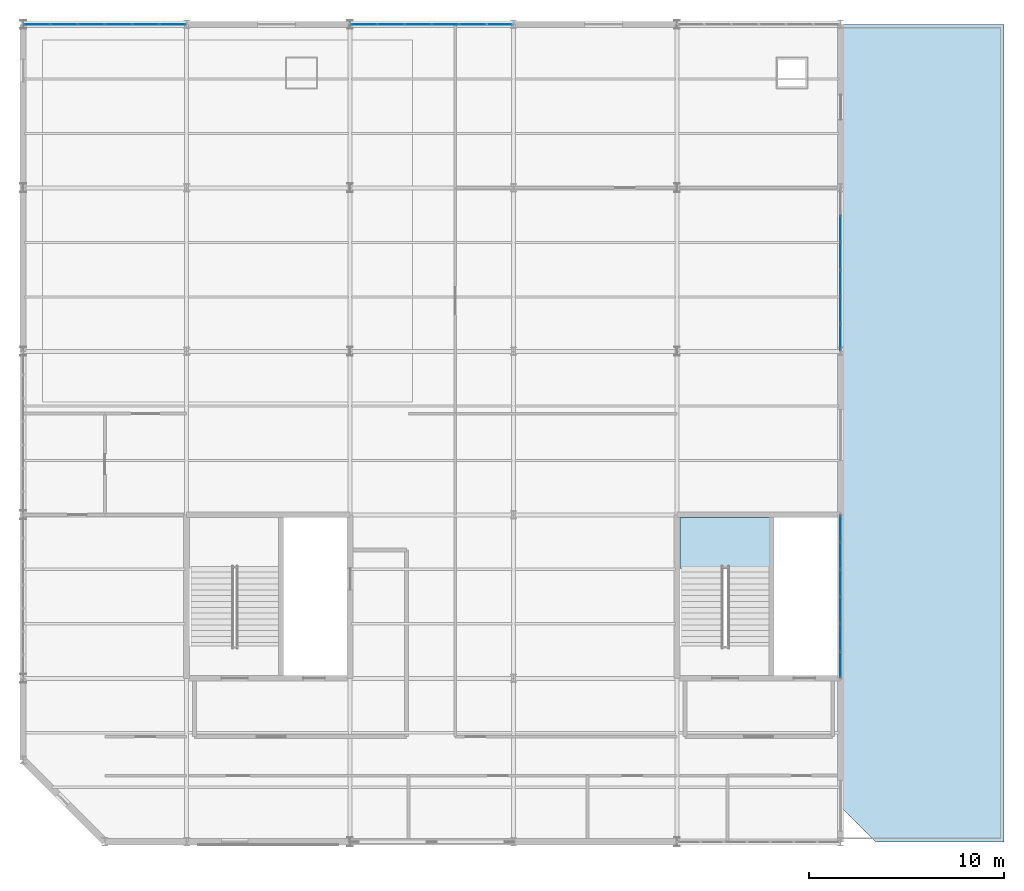
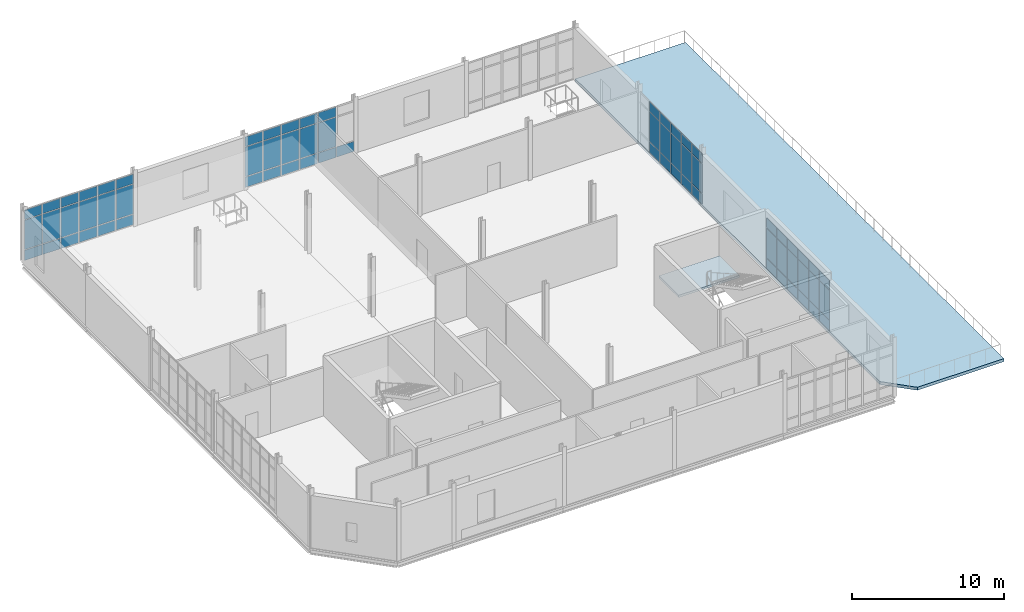
# One storey, part 22 of 28: 67 plates, 2 slabs, 5 elements without a shape of their own.
"""IFC4 building model written with IfcOpenShell, lengths in metres."""

from ifc_helpers import new_model, si_unit, direction, frame, origin, origin_2d, place, context, subcontext, project, spatial, polyline, rectangle, outline, extrude, material, layer, layer_set, type_object, element, aggregate, save


model = new_model("IFC4")

# Units and contexts
model_context = context("Model", 3, precision=1e-05, world=origin(), true_north=direction((0.0, 1.0)))
body_context = subcontext(model_context, "Body", "Model", "MODEL_VIEW")
ifc_project = project(units=[si_unit("LENGTHUNIT", "METRE"), si_unit("AREAUNIT", "SQUARE_METRE"), si_unit("VOLUMEUNIT", "CUBIC_METRE"), si_unit("PLANEANGLEUNIT", "RADIAN"), si_unit("MASSUNIT", "GRAM", prefix="KILO")], contexts=[model_context])

# Site, building, storey
site_placement = place(None, origin())
site = spatial("IfcSite", under=ifc_project, at=site_placement, CompositionType="ELEMENT")
building_placement = place(site_placement, origin())
building = spatial("IfcBuilding", under=site, at=building_placement, Name="Qalvenar Corner Mobility Hub", CompositionType="ELEMENT")
storey_placement = place(building_placement, frame((0.0, 0.0, 21.60009765625)))
storey = spatial("IfcBuildingStorey", under=building, at=storey_placement, Name="L05", CompositionType="ELEMENT", Elevation=21.60009765625)

# Curtain wall, plates
ifc_material_1 = material(Name="Anodised Aluminium and Low-E Glazing", Category="aluminium")
ifc_layer_1 = layer(ifc_material_1, 0.14990234375)
ifc_layer_set_1 = layer_set([ifc_layer_1], Name="Anodised Aluminium and Low-E Glazing")
curtain_wall_type_1 = type_object("IfcCurtainWallType", Name="CW-CIV-84X40", PredefinedType="NOTDEFINED", material=ifc_layer_set_1)
curtain_wall_1_placement = place(storey_placement, origin())
curtain_wall_1 = element("IfcCurtainWall", 1, at=curtain_wall_1_placement, inside=storey, type_object=curtain_wall_type_1, Name="Glazed Curtain Wall CW-V3-L05-N0", PredefinedType="NOTDEFINED")
ifc_material_2 = material(Name="Solar-Control Low-E Double Glazing", Category="glass")
ifc_layer_2 = layer(ifc_material_2, 0.028076171875)
ifc_layer_set_2 = layer_set([ifc_layer_2], Name="Solar-Control Low-E Double Glazing")
plate_type = type_object("IfcPlateType", Name="PLT-CWP-GLZ1", PredefinedType="CURTAIN_PANEL", material=ifc_layer_set_2)
plate_1_placement = place(storey_placement, frame((7.68505859375, 42.0, 0.054931640625), z_axis=(0.0, 0.0, 1.0), x_axis=(-1.0, 0.0, 0.0)))
plate_1 = element("IfcPlate", 2, at=plate_1_placement, type_object=plate_type, Name="CW-05 panel 1.1", PredefinedType="CURTAIN_PANEL", context=body_context, shape_type="SweptSolid", body=[
    extrude(rectangle(XDim=1.31005859375, YDim=0.028076171875, at=origin_2d()), origin(), (0.0, 0.0, 1.0), 0.8173828125),
])
plate_2_placement = place(storey_placement, frame((7.68505859375, 42.0, 0.92724609375), z_axis=(0.0, 0.0, 1.0), x_axis=(-1.0, 0.0, 0.0)))
plate_2 = element("IfcPlate", 3, at=plate_2_placement, type_object=plate_type, Name="CW-05 panel 1.2", PredefinedType="CURTAIN_PANEL", context=body_context, shape_type="SweptSolid", body=[
    extrude(rectangle(XDim=1.31005859375, YDim=0.028076171875, at=origin_2d()), origin(), (0.0, 0.0, 1.0), 2.364990234375),
])
plate_3_placement = place(storey_placement, frame((7.68505859375, 42.0, 3.347412109375), z_axis=(0.0, 0.0, 1.0), x_axis=(-1.0, 0.0, 0.0)))
plate_3 = element("IfcPlate", 4, at=plate_3_placement, type_object=plate_type, Name="CW-05 panel 1.3", PredefinedType="CURTAIN_PANEL", context=body_context, shape_type="SweptSolid", body=[
    extrude(rectangle(XDim=1.31005859375, YDim=0.028076171875, at=origin_2d()), origin(), (0.0, 0.0, 1.0), 0.767578125),
])
plate_4_placement = place(storey_placement, frame((6.300048828125, 42.0, 0.054931640625), z_axis=(0.0, 0.0, 1.0), x_axis=(-1.0, 0.0, 0.0)))
plate_4 = element("IfcPlate", 5, at=plate_4_placement, type_object=plate_type, Name="CW-05 panel 2.1", PredefinedType="CURTAIN_PANEL", context=body_context, shape_type="SweptSolid", body=[
    extrude(rectangle(XDim=1.340087890625, YDim=0.028076171875, at=origin_2d()), origin(), (0.0, 0.0, 1.0), 0.8173828125),
])
plate_5_placement = place(storey_placement, frame((6.300048828125, 42.0, 0.92724609375), z_axis=(0.0, 0.0, 1.0), x_axis=(-1.0, 0.0, 0.0)))
plate_5 = element("IfcPlate", 6, at=plate_5_placement, type_object=plate_type, Name="CW-05 panel 2.2", PredefinedType="CURTAIN_PANEL", context=body_context, shape_type="SweptSolid", body=[
    extrude(rectangle(XDim=1.340087890625, YDim=0.028076171875, at=origin_2d()), origin(), (0.0, 0.0, 1.0), 2.364990234375),
])
plate_6_placement = place(storey_placement, frame((6.300048828125, 42.0, 3.347412109375), z_axis=(0.0, 0.0, 1.0), x_axis=(-1.0, 0.0, 0.0)))
plate_6 = element("IfcPlate", 7, at=plate_6_placement, type_object=plate_type, Name="CW-05 panel 2.3", PredefinedType="CURTAIN_PANEL", context=body_context, shape_type="SweptSolid", body=[
    extrude(rectangle(XDim=1.340087890625, YDim=0.028076171875, at=origin_2d()), origin(), (0.0, 0.0, 1.0), 0.767578125),
])
plate_7_placement = place(storey_placement, frame((4.89990234375, 42.0, 0.054931640625), z_axis=(0.0, 0.0, 1.0), x_axis=(-1.0, 0.0, 0.0)))
plate_7 = element("IfcPlate", 8, at=plate_7_placement, type_object=plate_type, Name="CW-05 panel 3.1", PredefinedType="CURTAIN_PANEL", context=body_context, shape_type="SweptSolid", body=[
    extrude(rectangle(XDim=1.340087890625, YDim=0.028076171875, at=origin_2d()), origin(), (0.0, 0.0, 1.0), 0.8173828125),
])
plate_8_placement = place(storey_placement, frame((4.89990234375, 42.0, 0.92724609375), z_axis=(0.0, 0.0, 1.0), x_axis=(-1.0, 0.0, 0.0)))
plate_8 = element("IfcPlate", 9, at=plate_8_placement, type_object=plate_type, Name="CW-05 panel 3.2", PredefinedType="CURTAIN_PANEL", context=body_context, shape_type="SweptSolid", body=[
    extrude(rectangle(XDim=1.340087890625, YDim=0.028076171875, at=origin_2d()), origin(), (0.0, 0.0, 1.0), 2.364990234375),
])
plate_9_placement = place(storey_placement, frame((4.89990234375, 42.0, 3.347412109375), z_axis=(0.0, 0.0, 1.0), x_axis=(-1.0, 0.0, 0.0)))
plate_9 = element("IfcPlate", 10, at=plate_9_placement, type_object=plate_type, Name="CW-05 panel 3.3", PredefinedType="CURTAIN_PANEL", context=body_context, shape_type="SweptSolid", body=[
    extrude(rectangle(XDim=1.340087890625, YDim=0.028076171875, at=origin_2d()), origin(), (0.0, 0.0, 1.0), 0.767578125),
])
plate_10_placement = place(storey_placement, frame((3.5, 42.0, 0.054931640625), z_axis=(0.0, 0.0, 1.0), x_axis=(-1.0, 0.0, 0.0)))
plate_10 = element("IfcPlate", 11, at=plate_10_placement, type_object=plate_type, Name="CW-05 panel 4.1", PredefinedType="CURTAIN_PANEL", context=body_context, shape_type="SweptSolid", body=[
    extrude(rectangle(XDim=1.340087890625, YDim=0.028076171875, at=origin_2d()), origin(), (0.0, 0.0, 1.0), 0.8173828125),
])
plate_11_placement = place(storey_placement, frame((3.5, 42.0, 0.92724609375), z_axis=(0.0, 0.0, 1.0), x_axis=(-1.0, 0.0, 0.0)))
plate_11 = element("IfcPlate", 12, at=plate_11_placement, type_object=plate_type, Name="CW-05 panel 4.2", PredefinedType="CURTAIN_PANEL", context=body_context, shape_type="SweptSolid", body=[
    extrude(rectangle(XDim=1.340087890625, YDim=0.028076171875, at=origin_2d()), origin(), (0.0, 0.0, 1.0), 2.364990234375),
])
plate_12_placement = place(storey_placement, frame((3.5, 42.0, 3.347412109375), z_axis=(0.0, 0.0, 1.0), x_axis=(-1.0, 0.0, 0.0)))
plate_12 = element("IfcPlate", 13, at=plate_12_placement, type_object=plate_type, Name="CW-05 panel 4.3", PredefinedType="CURTAIN_PANEL", context=body_context, shape_type="SweptSolid", body=[
    extrude(rectangle(XDim=1.340087890625, YDim=0.028076171875, at=origin_2d()), origin(), (0.0, 0.0, 1.0), 0.767578125),
])
plate_13_placement = place(storey_placement, frame((2.10009765625, 42.0, 0.054931640625), z_axis=(0.0, 0.0, 1.0), x_axis=(-1.0, 0.0, 0.0)))
plate_13 = element("IfcPlate", 14, at=plate_13_placement, type_object=plate_type, Name="CW-05 panel 5.1", PredefinedType="CURTAIN_PANEL", context=body_context, shape_type="SweptSolid", body=[
    extrude(rectangle(XDim=1.340087890625, YDim=0.028076171875, at=origin_2d()), origin(), (0.0, 0.0, 1.0), 0.8173828125),
])
plate_14_placement = place(storey_placement, frame((2.10009765625, 42.0, 0.92724609375), z_axis=(0.0, 0.0, 1.0), x_axis=(-1.0, 0.0, 0.0)))
plate_14 = element("IfcPlate", 15, at=plate_14_placement, type_object=plate_type, Name="CW-05 panel 5.2", PredefinedType="CURTAIN_PANEL", context=body_context, shape_type="SweptSolid", body=[
    extrude(rectangle(XDim=1.340087890625, YDim=0.028076171875, at=origin_2d()), origin(), (0.0, 0.0, 1.0), 2.364990234375),
])
plate_15_placement = place(storey_placement, frame((2.10009765625, 42.0, 3.347412109375), z_axis=(0.0, 0.0, 1.0), x_axis=(-1.0, 0.0, 0.0)))
plate_15 = element("IfcPlate", 16, at=plate_15_placement, type_object=plate_type, Name="CW-05 panel 5.3", PredefinedType="CURTAIN_PANEL", context=body_context, shape_type="SweptSolid", body=[
    extrude(rectangle(XDim=1.340087890625, YDim=0.028076171875, at=origin_2d()), origin(), (0.0, 0.0, 1.0), 0.767578125),
])
plate_16_placement = place(storey_placement, frame((0.715087890625, 42.0, 0.054931640625), z_axis=(0.0, 0.0, 1.0), x_axis=(-1.0, 0.0, 0.0)))
plate_16 = element("IfcPlate", 17, at=plate_16_placement, type_object=plate_type, Name="CW-05 panel 6.1", PredefinedType="CURTAIN_PANEL", context=body_context, shape_type="SweptSolid", body=[
    extrude(rectangle(XDim=1.31005859375, YDim=0.028076171875, at=origin_2d()), origin(), (0.0, 0.0, 1.0), 0.8173828125),
])
plate_17_placement = place(storey_placement, frame((0.715087890625, 42.0, 0.92724609375), z_axis=(0.0, 0.0, 1.0), x_axis=(-1.0, 0.0, 0.0)))
plate_17 = element("IfcPlate", 18, at=plate_17_placement, type_object=plate_type, Name="CW-05 panel 6.2", PredefinedType="CURTAIN_PANEL", context=body_context, shape_type="SweptSolid", body=[
    extrude(rectangle(XDim=1.31005859375, YDim=0.028076171875, at=origin_2d()), origin(), (0.0, 0.0, 1.0), 2.364990234375),
])
plate_18_placement = place(storey_placement, frame((0.715087890625, 42.0, 3.347412109375), z_axis=(0.0, 0.0, 1.0), x_axis=(-1.0, 0.0, 0.0)))
plate_18 = element("IfcPlate", 19, at=plate_18_placement, type_object=plate_type, Name="CW-05 panel 6.3", PredefinedType="CURTAIN_PANEL", context=body_context, shape_type="SweptSolid", body=[
    extrude(rectangle(XDim=1.31005859375, YDim=0.028076171875, at=origin_2d()), origin(), (0.0, 0.0, 1.0), 0.767578125),
])
aggregate(curtain_wall_1, [plate_1, plate_2, plate_3, plate_4, plate_5, plate_6, plate_7, plate_8, plate_9, plate_10, plate_11, plate_12, plate_13, plate_14, plate_15, plate_16, plate_17, plate_18])

curtain_wall_2_placement = place(storey_placement, origin())
curtain_wall_2 = element("IfcCurtainWall", 20, at=curtain_wall_2_placement, inside=storey, type_object=curtain_wall_type_1, Name="Glazed Curtain Wall CW-V3-L05-N2", PredefinedType="NOTDEFINED")
plate_19_placement = place(storey_placement, frame((24.485107421875, 42.0, 0.054931640625), z_axis=(0.0, 0.0, 1.0), x_axis=(-1.0, 0.0, 0.0)))
plate_19 = element("IfcPlate", 21, at=plate_19_placement, type_object=plate_type, Name="CW-05 panel 1.1", PredefinedType="CURTAIN_PANEL", context=body_context, shape_type="SweptSolid", body=[
    extrude(rectangle(XDim=1.31005859375, YDim=0.028076171875, at=origin_2d()), origin(), (0.0, 0.0, 1.0), 0.8173828125),
])
plate_20_placement = place(storey_placement, frame((23.10009765625, 42.0, 0.054931640625), z_axis=(0.0, 0.0, 1.0), x_axis=(-1.0, 0.0, 0.0)))
plate_20 = element("IfcPlate", 22, at=plate_20_placement, type_object=plate_type, Name="CW-05 panel 2.1", PredefinedType="CURTAIN_PANEL", context=body_context, shape_type="SweptSolid", body=[
    extrude(rectangle(XDim=1.340087890625, YDim=0.028076171875, at=origin_2d()), origin(), (0.0, 0.0, 1.0), 0.8173828125),
])
plate_21_placement = place(storey_placement, frame((23.10009765625, 42.0, 0.92724609375), z_axis=(0.0, 0.0, 1.0), x_axis=(-1.0, 0.0, 0.0)))
plate_21 = element("IfcPlate", 23, at=plate_21_placement, type_object=plate_type, Name="CW-05 panel 2.2", PredefinedType="CURTAIN_PANEL", context=body_context, shape_type="SweptSolid", body=[
    extrude(rectangle(XDim=1.340087890625, YDim=0.028076171875, at=origin_2d()), origin(), (0.0, 0.0, 1.0), 2.364990234375),
])
plate_22_placement = place(storey_placement, frame((23.10009765625, 42.0, 3.347412109375), z_axis=(0.0, 0.0, 1.0), x_axis=(-1.0, 0.0, 0.0)))
plate_22 = element("IfcPlate", 24, at=plate_22_placement, type_object=plate_type, Name="CW-05 panel 2.3", PredefinedType="CURTAIN_PANEL", context=body_context, shape_type="SweptSolid", body=[
    extrude(rectangle(XDim=1.340087890625, YDim=0.028076171875, at=origin_2d()), origin(), (0.0, 0.0, 1.0), 0.767578125),
])
plate_23_placement = place(storey_placement, frame((21.699951171875, 42.0, 0.054931640625), z_axis=(0.0, 0.0, 1.0), x_axis=(-1.0, 0.0, 0.0)))
plate_23 = element("IfcPlate", 25, at=plate_23_placement, type_object=plate_type, Name="CW-05 panel 3.1", PredefinedType="CURTAIN_PANEL", context=body_context, shape_type="SweptSolid", body=[
    extrude(rectangle(XDim=1.340087890625, YDim=0.028076171875, at=origin_2d()), origin(), (0.0, 0.0, 1.0), 0.8173828125),
])
plate_24_placement = place(storey_placement, frame((21.699951171875, 42.0, 0.92724609375), z_axis=(0.0, 0.0, 1.0), x_axis=(-1.0, 0.0, 0.0)))
plate_24 = element("IfcPlate", 26, at=plate_24_placement, type_object=plate_type, Name="CW-05 panel 3.2", PredefinedType="CURTAIN_PANEL", context=body_context, shape_type="SweptSolid", body=[
    extrude(rectangle(XDim=1.340087890625, YDim=0.028076171875, at=origin_2d()), origin(), (0.0, 0.0, 1.0), 2.364990234375),
])
plate_25_placement = place(storey_placement, frame((21.699951171875, 42.0, 3.347412109375), z_axis=(0.0, 0.0, 1.0), x_axis=(-1.0, 0.0, 0.0)))
plate_25 = element("IfcPlate", 27, at=plate_25_placement, type_object=plate_type, Name="CW-05 panel 3.3", PredefinedType="CURTAIN_PANEL", context=body_context, shape_type="SweptSolid", body=[
    extrude(rectangle(XDim=1.340087890625, YDim=0.028076171875, at=origin_2d()), origin(), (0.0, 0.0, 1.0), 0.767578125),
])
plate_26_placement = place(storey_placement, frame((20.300048828125, 42.0, 0.054931640625), z_axis=(0.0, 0.0, 1.0), x_axis=(-1.0, 0.0, 0.0)))
plate_26 = element("IfcPlate", 28, at=plate_26_placement, type_object=plate_type, Name="CW-05 panel 4.1", PredefinedType="CURTAIN_PANEL", context=body_context, shape_type="SweptSolid", body=[
    extrude(rectangle(XDim=1.340087890625, YDim=0.028076171875, at=origin_2d()), origin(), (0.0, 0.0, 1.0), 0.8173828125),
])
plate_27_placement = place(storey_placement, frame((20.300048828125, 42.0, 0.92724609375), z_axis=(0.0, 0.0, 1.0), x_axis=(-1.0, 0.0, 0.0)))
plate_27 = element("IfcPlate", 29, at=plate_27_placement, type_object=plate_type, Name="CW-05 panel 4.2", PredefinedType="CURTAIN_PANEL", context=body_context, shape_type="SweptSolid", body=[
    extrude(rectangle(XDim=1.340087890625, YDim=0.028076171875, at=origin_2d()), origin(), (0.0, 0.0, 1.0), 2.364990234375),
])
plate_28_placement = place(storey_placement, frame((20.300048828125, 42.0, 3.347412109375), z_axis=(0.0, 0.0, 1.0), x_axis=(-1.0, 0.0, 0.0)))
plate_28 = element("IfcPlate", 30, at=plate_28_placement, type_object=plate_type, Name="CW-05 panel 4.3", PredefinedType="CURTAIN_PANEL", context=body_context, shape_type="SweptSolid", body=[
    extrude(rectangle(XDim=1.340087890625, YDim=0.028076171875, at=origin_2d()), origin(), (0.0, 0.0, 1.0), 0.767578125),
])
plate_29_placement = place(storey_placement, frame((18.89990234375, 42.0, 0.054931640625), z_axis=(0.0, 0.0, 1.0), x_axis=(-1.0, 0.0, 0.0)))
plate_29 = element("IfcPlate", 31, at=plate_29_placement, type_object=plate_type, Name="CW-05 panel 5.1", PredefinedType="CURTAIN_PANEL", context=body_context, shape_type="SweptSolid", body=[
    extrude(rectangle(XDim=1.340087890625, YDim=0.028076171875, at=origin_2d()), origin(), (0.0, 0.0, 1.0), 0.8173828125),
])
plate_30_placement = place(storey_placement, frame((18.89990234375, 42.0, 0.92724609375), z_axis=(0.0, 0.0, 1.0), x_axis=(-1.0, 0.0, 0.0)))
plate_30 = element("IfcPlate", 32, at=plate_30_placement, type_object=plate_type, Name="CW-05 panel 5.2", PredefinedType="CURTAIN_PANEL", context=body_context, shape_type="SweptSolid", body=[
    extrude(rectangle(XDim=1.340087890625, YDim=0.028076171875, at=origin_2d()), origin(), (0.0, 0.0, 1.0), 2.364990234375),
])
plate_31_placement = place(storey_placement, frame((18.89990234375, 42.0, 3.347412109375), z_axis=(0.0, 0.0, 1.0), x_axis=(-1.0, 0.0, 0.0)))
plate_31 = element("IfcPlate", 33, at=plate_31_placement, type_object=plate_type, Name="CW-05 panel 5.3", PredefinedType="CURTAIN_PANEL", context=body_context, shape_type="SweptSolid", body=[
    extrude(rectangle(XDim=1.340087890625, YDim=0.028076171875, at=origin_2d()), origin(), (0.0, 0.0, 1.0), 0.767578125),
])
plate_32_placement = place(storey_placement, frame((17.514892578125, 42.0, 0.054931640625), z_axis=(0.0, 0.0, 1.0), x_axis=(-1.0, 0.0, 0.0)))
plate_32 = element("IfcPlate", 34, at=plate_32_placement, type_object=plate_type, Name="CW-05 panel 6.1", PredefinedType="CURTAIN_PANEL", context=body_context, shape_type="SweptSolid", body=[
    extrude(rectangle(XDim=1.31005859375, YDim=0.028076171875, at=origin_2d()), origin(), (0.0, 0.0, 1.0), 0.8173828125),
])
plate_33_placement = place(storey_placement, frame((17.514892578125, 42.0, 0.92724609375), z_axis=(0.0, 0.0, 1.0), x_axis=(-1.0, 0.0, 0.0)))
plate_33 = element("IfcPlate", 35, at=plate_33_placement, type_object=plate_type, Name="CW-05 panel 6.2", PredefinedType="CURTAIN_PANEL", context=body_context, shape_type="SweptSolid", body=[
    extrude(rectangle(XDim=1.31005859375, YDim=0.028076171875, at=origin_2d()), origin(), (0.0, 0.0, 1.0), 2.364990234375),
])
plate_34_placement = place(storey_placement, frame((17.514892578125, 42.0, 3.347412109375), z_axis=(0.0, 0.0, 1.0), x_axis=(-1.0, 0.0, 0.0)))
plate_34 = element("IfcPlate", 36, at=plate_34_placement, type_object=plate_type, Name="CW-05 panel 6.3", PredefinedType="CURTAIN_PANEL", context=body_context, shape_type="SweptSolid", body=[
    extrude(rectangle(XDim=1.31005859375, YDim=0.028076171875, at=origin_2d()), origin(), (0.0, 0.0, 1.0), 0.767578125),
])
aggregate(curtain_wall_2, [plate_19, plate_20, plate_21, plate_22, plate_23, plate_24, plate_25, plate_26, plate_27, plate_28, plate_29, plate_30, plate_31, plate_32, plate_33, plate_34])

ifc_layer_3 = layer(ifc_material_1, 0.14990234375)
ifc_layer_set_3 = layer_set([ifc_layer_3], Name="Anodised Aluminium and Low-E Glazing")
curtain_wall_type_2 = type_object("IfcCurtainWallType", Name="CW-SPT-84X44", PredefinedType="NOTDEFINED", material=ifc_layer_set_3)
curtain_wall_3_placement = place(storey_placement, origin())
curtain_wall_3 = element("IfcCurtainWall", 37, at=curtain_wall_3_placement, inside=storey, type_object=curtain_wall_type_2, Name="Glazed Curtain Wall CW-V3-L05-E1", PredefinedType="NOTDEFINED")
plate_35_placement = place(storey_placement, frame((42.0, 9.114990234375, 0.054931640625), z_axis=(0.0, 0.0, 1.0), x_axis=(0.0, 1.0, 0.0)))
plate_35 = element("IfcPlate", 38, at=plate_35_placement, type_object=plate_type, Name="CW-06 panel 1.1", PredefinedType="CURTAIN_PANEL", context=body_context, shape_type="SweptSolid", body=[
    extrude(rectangle(XDim=1.31005859375, YDim=0.028076171875, at=origin_2d()), origin(), (0.0, 0.0, 1.0), 0.8173828125),
])
plate_36_placement = place(storey_placement, frame((42.0, 9.114990234375, 0.92724609375), z_axis=(0.0, 0.0, 1.0), x_axis=(0.0, 1.0, 0.0)))
plate_36 = element("IfcPlate", 39, at=plate_36_placement, type_object=plate_type, Name="CW-06 panel 1.2", PredefinedType="CURTAIN_PANEL", context=body_context, shape_type="SweptSolid", body=[
    extrude(rectangle(XDim=1.31005859375, YDim=0.028076171875, at=origin_2d()), origin(), (0.0, 0.0, 1.0), 2.364990234375),
])
plate_37_placement = place(storey_placement, frame((42.0, 9.114990234375, 3.347412109375), z_axis=(0.0, 0.0, 1.0), x_axis=(0.0, 1.0, 0.0)))
plate_37 = element("IfcPlate", 40, at=plate_37_placement, type_object=plate_type, Name="CW-06 panel 1.3", PredefinedType="CURTAIN_PANEL", context=body_context, shape_type="SweptSolid", body=[
    extrude(rectangle(XDim=1.31005859375, YDim=0.028076171875, at=origin_2d()), origin(), (0.0, 0.0, 1.0), 0.767578125),
])
plate_38_placement = place(storey_placement, frame((42.0, 10.5, 0.054931640625), z_axis=(0.0, 0.0, 1.0), x_axis=(0.0, 1.0, 0.0)))
plate_38 = element("IfcPlate", 41, at=plate_38_placement, type_object=plate_type, Name="CW-06 panel 2.1", PredefinedType="CURTAIN_PANEL", context=body_context, shape_type="SweptSolid", body=[
    extrude(rectangle(XDim=1.340087890625, YDim=0.028076171875, at=origin_2d()), origin(), (0.0, 0.0, 1.0), 0.8173828125),
])
plate_39_placement = place(storey_placement, frame((42.0, 10.5, 0.92724609375), z_axis=(0.0, 0.0, 1.0), x_axis=(0.0, 1.0, 0.0)))
plate_39 = element("IfcPlate", 42, at=plate_39_placement, type_object=plate_type, Name="CW-06 panel 2.2", PredefinedType="CURTAIN_PANEL", context=body_context, shape_type="SweptSolid", body=[
    extrude(rectangle(XDim=1.340087890625, YDim=0.028076171875, at=origin_2d()), origin(), (0.0, 0.0, 1.0), 2.364990234375),
])
plate_40_placement = place(storey_placement, frame((42.0, 10.5, 3.347412109375), z_axis=(0.0, 0.0, 1.0), x_axis=(0.0, 1.0, 0.0)))
plate_40 = element("IfcPlate", 43, at=plate_40_placement, type_object=plate_type, Name="CW-06 panel 2.3", PredefinedType="CURTAIN_PANEL", context=body_context, shape_type="SweptSolid", body=[
    extrude(rectangle(XDim=1.340087890625, YDim=0.028076171875, at=origin_2d()), origin(), (0.0, 0.0, 1.0), 0.767578125),
])
plate_41_placement = place(storey_placement, frame((42.0, 11.89990234375, 0.054931640625), z_axis=(0.0, 0.0, 1.0), x_axis=(0.0, 1.0, 0.0)))
plate_41 = element("IfcPlate", 44, at=plate_41_placement, type_object=plate_type, Name="CW-06 panel 3.1", PredefinedType="CURTAIN_PANEL", context=body_context, shape_type="SweptSolid", body=[
    extrude(rectangle(XDim=1.340087890625, YDim=0.028076171875, at=origin_2d()), origin(), (0.0, 0.0, 1.0), 0.8173828125),
])
plate_42_placement = place(storey_placement, frame((42.0, 11.89990234375, 0.92724609375), z_axis=(0.0, 0.0, 1.0), x_axis=(0.0, 1.0, 0.0)))
plate_42 = element("IfcPlate", 45, at=plate_42_placement, type_object=plate_type, Name="CW-06 panel 3.2", PredefinedType="CURTAIN_PANEL", context=body_context, shape_type="SweptSolid", body=[
    extrude(rectangle(XDim=1.340087890625, YDim=0.028076171875, at=origin_2d()), origin(), (0.0, 0.0, 1.0), 2.364990234375),
])
plate_43_placement = place(storey_placement, frame((42.0, 11.89990234375, 3.347412109375), z_axis=(0.0, 0.0, 1.0), x_axis=(0.0, 1.0, 0.0)))
plate_43 = element("IfcPlate", 46, at=plate_43_placement, type_object=plate_type, Name="CW-06 panel 3.3", PredefinedType="CURTAIN_PANEL", context=body_context, shape_type="SweptSolid", body=[
    extrude(rectangle(XDim=1.340087890625, YDim=0.028076171875, at=origin_2d()), origin(), (0.0, 0.0, 1.0), 0.767578125),
])
plate_44_placement = place(storey_placement, frame((42.0, 13.300048828125, 0.054931640625), z_axis=(0.0, 0.0, 1.0), x_axis=(0.0, 1.0, 0.0)))
plate_44 = element("IfcPlate", 47, at=plate_44_placement, type_object=plate_type, Name="CW-06 panel 4.1", PredefinedType="CURTAIN_PANEL", context=body_context, shape_type="SweptSolid", body=[
    extrude(rectangle(XDim=1.340087890625, YDim=0.028076171875, at=origin_2d()), origin(), (0.0, 0.0, 1.0), 0.8173828125),
])
plate_45_placement = place(storey_placement, frame((42.0, 13.300048828125, 0.92724609375), z_axis=(0.0, 0.0, 1.0), x_axis=(0.0, 1.0, 0.0)))
plate_45 = element("IfcPlate", 48, at=plate_45_placement, type_object=plate_type, Name="CW-06 panel 4.2", PredefinedType="CURTAIN_PANEL", context=body_context, shape_type="SweptSolid", body=[
    extrude(rectangle(XDim=1.340087890625, YDim=0.028076171875, at=origin_2d()), origin(), (0.0, 0.0, 1.0), 2.364990234375),
])
plate_46_placement = place(storey_placement, frame((42.0, 13.300048828125, 3.347412109375), z_axis=(0.0, 0.0, 1.0), x_axis=(0.0, 1.0, 0.0)))
plate_46 = element("IfcPlate", 49, at=plate_46_placement, type_object=plate_type, Name="CW-06 panel 4.3", PredefinedType="CURTAIN_PANEL", context=body_context, shape_type="SweptSolid", body=[
    extrude(rectangle(XDim=1.340087890625, YDim=0.028076171875, at=origin_2d()), origin(), (0.0, 0.0, 1.0), 0.767578125),
])
plate_47_placement = place(storey_placement, frame((42.0, 14.699951171875, 0.054931640625), z_axis=(0.0, 0.0, 1.0), x_axis=(0.0, 1.0, 0.0)))
plate_47 = element("IfcPlate", 50, at=plate_47_placement, type_object=plate_type, Name="CW-06 panel 5.1", PredefinedType="CURTAIN_PANEL", context=body_context, shape_type="SweptSolid", body=[
    extrude(rectangle(XDim=1.340087890625, YDim=0.028076171875, at=origin_2d()), origin(), (0.0, 0.0, 1.0), 0.8173828125),
])
plate_48_placement = place(storey_placement, frame((42.0, 14.699951171875, 0.92724609375), z_axis=(0.0, 0.0, 1.0), x_axis=(0.0, 1.0, 0.0)))
plate_48 = element("IfcPlate", 51, at=plate_48_placement, type_object=plate_type, Name="CW-06 panel 5.2", PredefinedType="CURTAIN_PANEL", context=body_context, shape_type="SweptSolid", body=[
    extrude(rectangle(XDim=1.340087890625, YDim=0.028076171875, at=origin_2d()), origin(), (0.0, 0.0, 1.0), 2.364990234375),
])
plate_49_placement = place(storey_placement, frame((42.0, 14.699951171875, 3.347412109375), z_axis=(0.0, 0.0, 1.0), x_axis=(0.0, 1.0, 0.0)))
plate_49 = element("IfcPlate", 52, at=plate_49_placement, type_object=plate_type, Name="CW-06 panel 5.3", PredefinedType="CURTAIN_PANEL", context=body_context, shape_type="SweptSolid", body=[
    extrude(rectangle(XDim=1.340087890625, YDim=0.028076171875, at=origin_2d()), origin(), (0.0, 0.0, 1.0), 0.767578125),
])
plate_50_placement = place(storey_placement, frame((42.0, 16.0849609375, 0.054931640625), z_axis=(0.0, 0.0, 1.0), x_axis=(0.0, 1.0, 0.0)))
plate_50 = element("IfcPlate", 53, at=plate_50_placement, type_object=plate_type, Name="CW-06 panel 6.1", PredefinedType="CURTAIN_PANEL", context=body_context, shape_type="SweptSolid", body=[
    extrude(rectangle(XDim=1.31005859375, YDim=0.028076171875, at=origin_2d()), origin(), (0.0, 0.0, 1.0), 0.8173828125),
])
plate_51_placement = place(storey_placement, frame((42.0, 16.0849609375, 0.92724609375), z_axis=(0.0, 0.0, 1.0), x_axis=(0.0, 1.0, 0.0)))
plate_51 = element("IfcPlate", 54, at=plate_51_placement, type_object=plate_type, Name="CW-06 panel 6.2", PredefinedType="CURTAIN_PANEL", context=body_context, shape_type="SweptSolid", body=[
    extrude(rectangle(XDim=1.31005859375, YDim=0.028076171875, at=origin_2d()), origin(), (0.0, 0.0, 1.0), 2.364990234375),
])
plate_52_placement = place(storey_placement, frame((42.0, 16.0849609375, 3.347412109375), z_axis=(0.0, 0.0, 1.0), x_axis=(0.0, 1.0, 0.0)))
plate_52 = element("IfcPlate", 55, at=plate_52_placement, type_object=plate_type, Name="CW-06 panel 6.3", PredefinedType="CURTAIN_PANEL", context=body_context, shape_type="SweptSolid", body=[
    extrude(rectangle(XDim=1.31005859375, YDim=0.028076171875, at=origin_2d()), origin(), (0.0, 0.0, 1.0), 0.767578125),
])
aggregate(curtain_wall_3, [plate_35, plate_36, plate_37, plate_38, plate_39, plate_40, plate_41, plate_42, plate_43, plate_44, plate_45, plate_46, plate_47, plate_48, plate_49, plate_50, plate_51, plate_52])

curtain_wall_4_placement = place(storey_placement, origin())
curtain_wall_4 = element("IfcCurtainWall", 56, at=curtain_wall_4_placement, inside=storey, type_object=curtain_wall_type_2, Name="Glazed Curtain Wall CW-V3-L05-E3", PredefinedType="NOTDEFINED")
plate_53_placement = place(storey_placement, frame((42.0, 25.9150390625, 0.054931640625), z_axis=(0.0, 0.0, 1.0), x_axis=(0.0, 1.0, 0.0)))
plate_53 = element("IfcPlate", 57, at=plate_53_placement, type_object=plate_type, Name="CW-06 panel 1.1", PredefinedType="CURTAIN_PANEL", context=body_context, shape_type="SweptSolid", body=[
    extrude(rectangle(XDim=1.31005859375, YDim=0.028076171875, at=origin_2d()), origin(), (0.0, 0.0, 1.0), 0.8173828125),
])
plate_54_placement = place(storey_placement, frame((42.0, 25.9150390625, 0.92724609375), z_axis=(0.0, 0.0, 1.0), x_axis=(0.0, 1.0, 0.0)))
plate_54 = element("IfcPlate", 58, at=plate_54_placement, type_object=plate_type, Name="CW-06 panel 1.2", PredefinedType="CURTAIN_PANEL", context=body_context, shape_type="SweptSolid", body=[
    extrude(rectangle(XDim=1.31005859375, YDim=0.028076171875, at=origin_2d()), origin(), (0.0, 0.0, 1.0), 2.364990234375),
])
plate_55_placement = place(storey_placement, frame((42.0, 25.9150390625, 3.347412109375), z_axis=(0.0, 0.0, 1.0), x_axis=(0.0, 1.0, 0.0)))
plate_55 = element("IfcPlate", 59, at=plate_55_placement, type_object=plate_type, Name="CW-06 panel 1.3", PredefinedType="CURTAIN_PANEL", context=body_context, shape_type="SweptSolid", body=[
    extrude(rectangle(XDim=1.31005859375, YDim=0.028076171875, at=origin_2d()), origin(), (0.0, 0.0, 1.0), 0.767578125),
])
plate_56_placement = place(storey_placement, frame((42.0, 27.300048828125, 0.054931640625), z_axis=(0.0, 0.0, 1.0), x_axis=(0.0, 1.0, 0.0)))
plate_56 = element("IfcPlate", 60, at=plate_56_placement, type_object=plate_type, Name="CW-06 panel 2.1", PredefinedType="CURTAIN_PANEL", context=body_context, shape_type="SweptSolid", body=[
    extrude(rectangle(XDim=1.340087890625, YDim=0.028076171875, at=origin_2d()), origin(), (0.0, 0.0, 1.0), 0.8173828125),
])
plate_57_placement = place(storey_placement, frame((42.0, 27.300048828125, 0.92724609375), z_axis=(0.0, 0.0, 1.0), x_axis=(0.0, 1.0, 0.0)))
plate_57 = element("IfcPlate", 61, at=plate_57_placement, type_object=plate_type, Name="CW-06 panel 2.2", PredefinedType="CURTAIN_PANEL", context=body_context, shape_type="SweptSolid", body=[
    extrude(rectangle(XDim=1.340087890625, YDim=0.028076171875, at=origin_2d()), origin(), (0.0, 0.0, 1.0), 2.364990234375),
])
plate_58_placement = place(storey_placement, frame((42.0, 27.300048828125, 3.347412109375), z_axis=(0.0, 0.0, 1.0), x_axis=(0.0, 1.0, 0.0)))
plate_58 = element("IfcPlate", 62, at=plate_58_placement, type_object=plate_type, Name="CW-06 panel 2.3", PredefinedType="CURTAIN_PANEL", context=body_context, shape_type="SweptSolid", body=[
    extrude(rectangle(XDim=1.340087890625, YDim=0.028076171875, at=origin_2d()), origin(), (0.0, 0.0, 1.0), 0.767578125),
])
plate_59_placement = place(storey_placement, frame((42.0, 28.699951171875, 0.054931640625), z_axis=(0.0, 0.0, 1.0), x_axis=(0.0, 1.0, 0.0)))
plate_59 = element("IfcPlate", 63, at=plate_59_placement, type_object=plate_type, Name="CW-06 panel 3.1", PredefinedType="CURTAIN_PANEL", context=body_context, shape_type="SweptSolid", body=[
    extrude(rectangle(XDim=1.340087890625, YDim=0.028076171875, at=origin_2d()), origin(), (0.0, 0.0, 1.0), 0.8173828125),
])
plate_60_placement = place(storey_placement, frame((42.0, 28.699951171875, 0.92724609375), z_axis=(0.0, 0.0, 1.0), x_axis=(0.0, 1.0, 0.0)))
plate_60 = element("IfcPlate", 64, at=plate_60_placement, type_object=plate_type, Name="CW-06 panel 3.2", PredefinedType="CURTAIN_PANEL", context=body_context, shape_type="SweptSolid", body=[
    extrude(rectangle(XDim=1.340087890625, YDim=0.028076171875, at=origin_2d()), origin(), (0.0, 0.0, 1.0), 2.364990234375),
])
plate_61_placement = place(storey_placement, frame((42.0, 28.699951171875, 3.347412109375), z_axis=(0.0, 0.0, 1.0), x_axis=(0.0, 1.0, 0.0)))
plate_61 = element("IfcPlate", 65, at=plate_61_placement, type_object=plate_type, Name="CW-06 panel 3.3", PredefinedType="CURTAIN_PANEL", context=body_context, shape_type="SweptSolid", body=[
    extrude(rectangle(XDim=1.340087890625, YDim=0.028076171875, at=origin_2d()), origin(), (0.0, 0.0, 1.0), 0.767578125),
])
plate_62_placement = place(storey_placement, frame((42.0, 30.10009765625, 0.054931640625), z_axis=(0.0, 0.0, 1.0), x_axis=(0.0, 1.0, 0.0)))
plate_62 = element("IfcPlate", 66, at=plate_62_placement, type_object=plate_type, Name="CW-06 panel 4.1", PredefinedType="CURTAIN_PANEL", context=body_context, shape_type="SweptSolid", body=[
    extrude(rectangle(XDim=1.340087890625, YDim=0.028076171875, at=origin_2d()), origin(), (0.0, 0.0, 1.0), 0.8173828125),
])
plate_63_placement = place(storey_placement, frame((42.0, 30.10009765625, 0.92724609375), z_axis=(0.0, 0.0, 1.0), x_axis=(0.0, 1.0, 0.0)))
plate_63 = element("IfcPlate", 67, at=plate_63_placement, type_object=plate_type, Name="CW-06 panel 4.2", PredefinedType="CURTAIN_PANEL", context=body_context, shape_type="SweptSolid", body=[
    extrude(rectangle(XDim=1.340087890625, YDim=0.028076171875, at=origin_2d()), origin(), (0.0, 0.0, 1.0), 2.364990234375),
])
plate_64_placement = place(storey_placement, frame((42.0, 30.10009765625, 3.347412109375), z_axis=(0.0, 0.0, 1.0), x_axis=(0.0, 1.0, 0.0)))
plate_64 = element("IfcPlate", 68, at=plate_64_placement, type_object=plate_type, Name="CW-06 panel 4.3", PredefinedType="CURTAIN_PANEL", context=body_context, shape_type="SweptSolid", body=[
    extrude(rectangle(XDim=1.340087890625, YDim=0.028076171875, at=origin_2d()), origin(), (0.0, 0.0, 1.0), 0.767578125),
])
plate_65_placement = place(storey_placement, frame((42.0, 31.5, 0.054931640625), z_axis=(0.0, 0.0, 1.0), x_axis=(0.0, 1.0, 0.0)))
plate_65 = element("IfcPlate", 69, at=plate_65_placement, type_object=plate_type, Name="CW-06 panel 5.1", PredefinedType="CURTAIN_PANEL", context=body_context, shape_type="SweptSolid", body=[
    extrude(rectangle(XDim=1.340087890625, YDim=0.028076171875, at=origin_2d()), origin(), (0.0, 0.0, 1.0), 0.8173828125),
])
plate_66_placement = place(storey_placement, frame((42.0, 31.5, 0.92724609375), z_axis=(0.0, 0.0, 1.0), x_axis=(0.0, 1.0, 0.0)))
plate_66 = element("IfcPlate", 70, at=plate_66_placement, type_object=plate_type, Name="CW-06 panel 5.2", PredefinedType="CURTAIN_PANEL", context=body_context, shape_type="SweptSolid", body=[
    extrude(rectangle(XDim=1.340087890625, YDim=0.028076171875, at=origin_2d()), origin(), (0.0, 0.0, 1.0), 2.364990234375),
])
plate_67_placement = place(storey_placement, frame((42.0, 31.5, 3.347412109375), z_axis=(0.0, 0.0, 1.0), x_axis=(0.0, 1.0, 0.0)))
plate_67 = element("IfcPlate", 71, at=plate_67_placement, type_object=plate_type, Name="CW-06 panel 5.3", PredefinedType="CURTAIN_PANEL", context=body_context, shape_type="SweptSolid", body=[
    extrude(rectangle(XDim=1.340087890625, YDim=0.028076171875, at=origin_2d()), origin(), (0.0, 0.0, 1.0), 0.767578125),
])
aggregate(curtain_wall_4, [plate_53, plate_54, plate_55, plate_56, plate_57, plate_58, plate_59, plate_60, plate_61, plate_62, plate_63, plate_64, plate_65, plate_66, plate_67])

# Stair, slab
ifc_material_3 = material(Name="Concrete C35/45", Category="concrete")
stair_type = type_object("IfcStairType", Name="STR-200-H48", PredefinedType="TWO_QUARTER_TURN_STAIR", material=ifc_material_3)
stair_placement = place(storey_placement, origin())
stair = element("IfcStair", 72, at=stair_placement, inside=storey, type_object=stair_type, Name="Exit Stair ST2 L05-L06", PredefinedType="TWO_QUARTER_TURN_STAIR")
ifc_layer_4 = layer(ifc_material_3, 0.179931640625)
ifc_layer_set_4 = layer_set([ifc_layer_4], Name="Concrete C35/45")
slab_type_1 = type_object("IfcSlabType", Name="SLB-LND180", PredefinedType="LANDING", material=ifc_layer_set_4)
slab_1_placement = place(storey_placement, frame((0.0, 0.0, 2.219970703125)))
slab_1 = element("IfcSlab", 73, at=slab_1_placement, type_object=slab_type_1, Name="ST2 landing 1", PredefinedType="LANDING", context=body_context, shape_type="SweptSolid", body=[
    extrude(outline(polyline([(33.739990234375, 14.050048828125), (38.3798828125, 14.050048828125), (38.3798828125, 16.659912109375), (33.739990234375, 16.659912109375), (33.739990234375, 14.050048828125)])), origin(), (0.0, 0.0, 1.0), 0.179931640625),
])
aggregate(stair, [slab_1])

# Slab
ifc_material_4 = material(Name="Concrete C35/45", Category="concrete")
ifc_layer_5 = layer(ifc_material_4, 0.241943359375)
ifc_layer_set_5 = layer_set([ifc_layer_5], Name="Concrete C35/45")
slab_type_2 = type_object("IfcSlabType", Name="SLB-TERR210", PredefinedType="FLOOR", material=ifc_layer_set_5)
slab_2_placement = place(storey_placement, frame((0.0, 0.0, -0.2421875)))
element("IfcSlab", 74, at=slab_2_placement, inside=storey, type_object=slab_type_2, Name="Walkable Terrace Slab TER-V3-L05", PredefinedType="FLOOR", context=body_context, shape_type="SweptSolid", body=[
    extrude(outline(polyline([(43.800048828125, 0.0), (50.39990234375, 0.0), (50.39990234375, 42.0), (42.0, 42.0), (42.0, 1.800048828125), (43.800048828125, 0.0)])), origin(), (0.0, 0.0, 1.0), 0.2421875),
])

save(model, "model.ifc")
